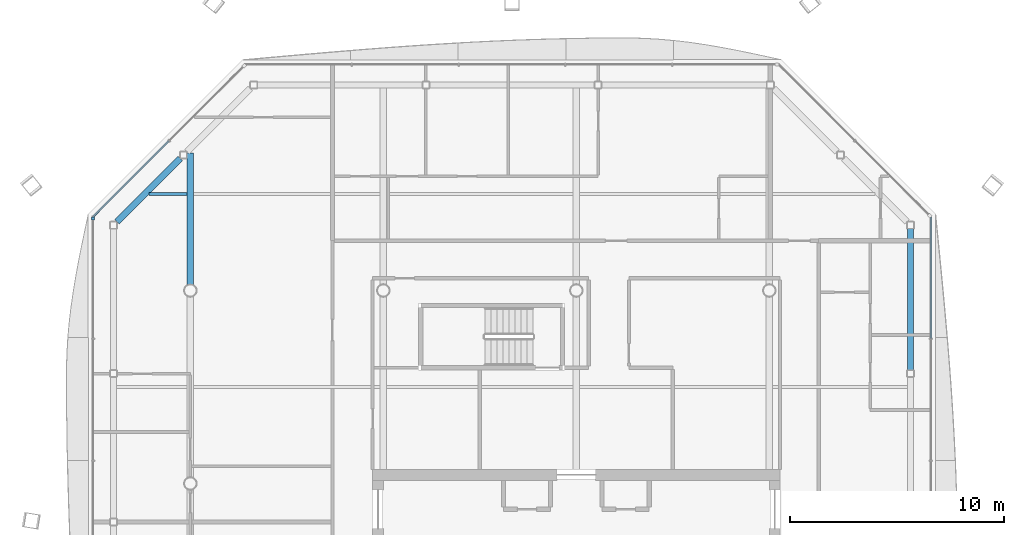
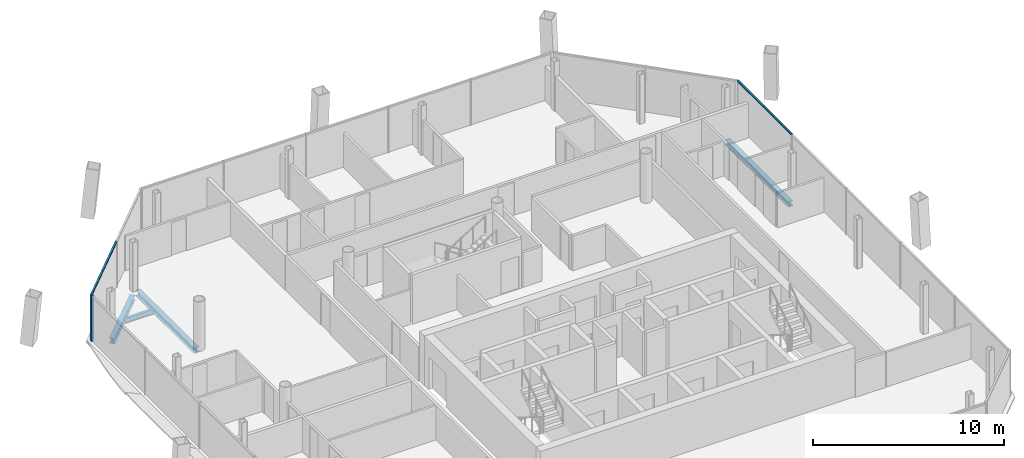
# One storey, part 9 of 19: 4 beams, 3 members, 3 elements without a shape of their own.
"""IFC4 building model written with IfcOpenShell, lengths in metres."""

from ifc_helpers import new_model, si_unit, direction, frame, origin, origin_2d, place, context, subcontext, project, spatial, rectangle, i_section, extrude, material, material_profile, profile_set, type_object, element, aggregate, save


model = new_model("IFC4")

# Units and contexts
model_context = context("Model", 3, precision=1e-05, world=origin(), true_north=direction((0.0, 1.0)))
body_context = subcontext(model_context, "Body", "Model", "MODEL_VIEW")
ifc_project = project(units=[si_unit("LENGTHUNIT", "METRE"), si_unit("AREAUNIT", "SQUARE_METRE"), si_unit("VOLUMEUNIT", "CUBIC_METRE"), si_unit("PLANEANGLEUNIT", "RADIAN"), si_unit("MASSUNIT", "GRAM", prefix="KILO")], contexts=[model_context])

# Site, building, storey
site_placement = place(None, origin())
site = spatial("IfcSite", under=ifc_project, at=site_placement, CompositionType="ELEMENT")
building_placement = place(site_placement, origin())
building = spatial("IfcBuilding", under=site, at=building_placement, Name="Tskaro Facet Tower", CompositionType="ELEMENT")
storey_placement = place(building_placement, frame((0.0, 0.0, 203.699951171875)))
storey = spatial("IfcBuildingStorey", under=building, at=storey_placement, Name="L52", CompositionType="ELEMENT", Elevation=203.699951171875)

# Curtain wall, member
ifc_material_1 = material(Name="Bronze anodised aluminium 6063-T6", Category="aluminium")
curtain_wall_type = type_object("IfcCurtainWallType", Name="Bronze residence curtain wall (FW3)", PredefinedType="NOTDEFINED", material=ifc_material_1)
curtain_wall_1_placement = place(storey_placement, origin())
curtain_wall_1 = element("IfcCurtainWall", 1, at=curtain_wall_1_placement, inside=storey, type_object=curtain_wall_type, Name="FW3 west facet L52", PredefinedType="NOTDEFINED")
ifc_material_profile_1 = material_profile(ifc_material_1, rectangle(XDim=0.139892578125, YDim=0.139892578125, at=origin_2d()), Name="Corner post 140x140")
ifc_profile_set_1 = profile_set([ifc_material_profile_1], Name="Bronze anodised aluminium 6063-T6")
member_type_1 = type_object("IfcMemberType", Name="FW3 bronze corner post 140x140", PredefinedType="MULLION", material=ifc_profile_set_1)
member_1_placement = place(storey_placement, frame((-22.532958984375, 12.368896484375, 0.0), z_axis=(0.0, 0.0, 1.0), x_axis=(0.0, -1.0, 0.0)))
member_1 = element("IfcMember", 2, at=member_1_placement, type_object=member_type_1, Name="FW3 west corner post", PredefinedType="MULLION", context=body_context, shape_type="SweptSolid", body=[
    extrude(rectangle(XDim=0.139892578125, YDim=0.139892578125, at=origin_2d()), origin(), (0.0, 0.0, 1.0), 2.949951171875),
])
aggregate(curtain_wall_1, [member_1])

curtain_wall_2_placement = place(storey_placement, origin())
curtain_wall_2 = element("IfcCurtainWall", 3, at=curtain_wall_2_placement, inside=storey, type_object=curtain_wall_type, Name="FW3 east facet L52", PredefinedType="NOTDEFINED")
ifc_material_profile_2 = material_profile(ifc_material_1, rectangle(XDim=0.10009765625, YDim=0.090087890625, at=origin_2d()), Name="Transom 100x90")
ifc_profile_set_2 = profile_set([ifc_material_profile_2], Name="Bronze anodised aluminium 6063-T6")
member_type_2 = type_object("IfcMemberType", Name="FW3 bronze transom 100x90", PredefinedType="USERDEFINED", material=ifc_profile_set_2)
member_2_placement = place(storey_placement, frame((16.532958984375, 6.77099609375, 2.905029296875), z_axis=(0.0, 1.0, 0.0), x_axis=(-1.0, 0.0, 0.0)))
member_2 = element("IfcMember", 4, at=member_2_placement, type_object=member_type_2, Name="FW3 east transom 5.1", ObjectType="TRANSOM", PredefinedType="USERDEFINED", context=body_context, shape_type="SweptSolid", body=[
    extrude(rectangle(XDim=0.10009765625, YDim=0.090087890625, at=origin_2d()), origin(), (0.0, 0.0, 1.0), 5.66796875),
])
aggregate(curtain_wall_2, [member_2])

curtain_wall_3_placement = place(storey_placement, origin())
curtain_wall_3 = element("IfcCurtainWall", 5, at=curtain_wall_3_placement, inside=storey, type_object=curtain_wall_type, Name="FW3 north-west facet L52", PredefinedType="NOTDEFINED")
member_3_placement = place(storey_placement, frame((-19.003662109375, 15.96826171875, 2.905029296875), z_axis=(-0.707106781187, -0.707106781187, 0.0), x_axis=(0.707106781187, -0.707106781187, 0.0)))
member_3 = element("IfcMember", 6, at=member_3_placement, type_object=member_type_2, Name="FW3 north-west transom 2.1", ObjectType="TRANSOM", PredefinedType="USERDEFINED", context=body_context, shape_type="SweptSolid", body=[
    extrude(rectangle(XDim=0.10009765625, YDim=0.090087890625, at=origin_2d()), origin(), (0.0, 0.0, 1.0), 4.9912109375),
])
aggregate(curtain_wall_3, [member_3])

# Beams
ifc_material_2 = material(Name="Steel S355J2", Category="steel")
ifc_material_profile_3 = material_profile(ifc_material_2, i_section(OverallWidth=0.300048828125, OverallDepth=0.320068359375, WebThickness=0.011474609375, FlangeThickness=0.0205078125, FilletRadius=0.027099609375, at=origin_2d()), Name="HE 320 B")
ifc_profile_set_3 = profile_set([ifc_material_profile_3], Name="Steel S355J2")
beam_type_1 = type_object("IfcBeamType", Name="HE 320 B ring beam", PredefinedType="BEAM", material=ifc_profile_set_3)
beam_1_placement = place(storey_placement, frame((15.5830078125, 5.281005859375, -0.300048828125), z_axis=(0.0, 1.0, 0.0), x_axis=(-1.0, 0.0, 0.0)))
element("IfcBeam", 7, at=beam_1_placement, inside=storey, type_object=beam_type_1, Name="HE 320 B EB9-4", PredefinedType="BEAM", context=body_context, shape_type="SweptSolid", body=[
    extrude(i_section(OverallWidth=0.300048828125, OverallDepth=0.320068359375, WebThickness=0.011474609375, FlangeThickness=0.0205078125, FilletRadius=0.027099609375, at=origin_2d()), origin(), (0.0, 0.0, 1.0), 6.610107421875),
])
beam_2_placement = place(storey_placement, frame((-18.474853515625, 15.153076171875, -0.300048828125), z_axis=(-0.70722393913, -0.706989603829, 0.0), x_axis=(0.706989603829, -0.70722393913, 0.0)))
element("IfcBeam", 8, at=beam_2_placement, inside=storey, type_object=beam_type_1, Name="HE 320 B EB16-4", PredefinedType="BEAM", context=body_context, shape_type="SweptSolid", body=[
    extrude(i_section(OverallWidth=0.300048828125, OverallDepth=0.320068359375, WebThickness=0.011474609375, FlangeThickness=0.0205078125, FilletRadius=0.027099609375, at=origin_2d()), origin(), (0.0, 0.0, 1.0), 4.16748046875),
])
ifc_material_profile_4 = material_profile(ifc_material_2, i_section(OverallWidth=0.300048828125, OverallDepth=0.35009765625, WebThickness=0.010009765625, FlangeThickness=0.017578125, FilletRadius=0.027099609375, at=origin_2d()), Name="HE 360 A")
ifc_profile_set_4 = profile_set([ifc_material_profile_4], Name="Steel S355J2")
beam_type_2 = type_object("IfcBeamType", Name="HE 360 A girder", PredefinedType="BEAM", material=ifc_profile_set_4)
beam_3_placement = place(storey_placement, frame((-18.0, 9.27490234375, -0.31494140625), z_axis=(0.0, 1.0, 0.0), x_axis=(-1.0, 0.0, 0.0)))
element("IfcBeam", 9, at=beam_3_placement, inside=storey, type_object=beam_type_2, Name="HE 360 A GB2-4-4", PredefinedType="BEAM", context=body_context, shape_type="SweptSolid", body=[
    extrude(i_section(OverallWidth=0.300048828125, OverallDepth=0.35009765625, WebThickness=0.010009765625, FlangeThickness=0.017578125, FilletRadius=0.027099609375, at=origin_2d()), origin(), (0.0, 0.0, 1.0), 6.14208984375),
])
ifc_material_profile_5 = material_profile(ifc_material_2, i_section(OverallWidth=0.159912109375, OverallDepth=0.330078125, WebThickness=0.007568359375, FlangeThickness=0.011474609375, FilletRadius=0.01806640625, at=origin_2d()), Name="IPE 330")
ifc_profile_set_5 = profile_set([ifc_material_profile_5], Name="Steel S355J2")
beam_type_3 = type_object("IfcBeamType", Name="IPE 330 secondary beam", PredefinedType="BEAM", material=ifc_profile_set_5)
beam_4_placement = place(storey_placement, frame((-19.9169921875, 13.5, -0.304931640625), z_axis=(1.0, 0.0, 0.0), x_axis=(0.0, 1.0, 0.0)))
element("IfcBeam", 10, at=beam_4_placement, inside=storey, type_object=beam_type_3, Name="IPE 330 SB5a-1-4", PredefinedType="BEAM", context=body_context, shape_type="SweptSolid", body=[
    extrude(i_section(OverallWidth=0.159912109375, OverallDepth=0.330078125, WebThickness=0.007568359375, FlangeThickness=0.011474609375, FilletRadius=0.01806640625, at=origin_2d()), origin(), (0.0, 0.0, 1.0), 1.76708984375),
])

save(model, "model.ifc")
